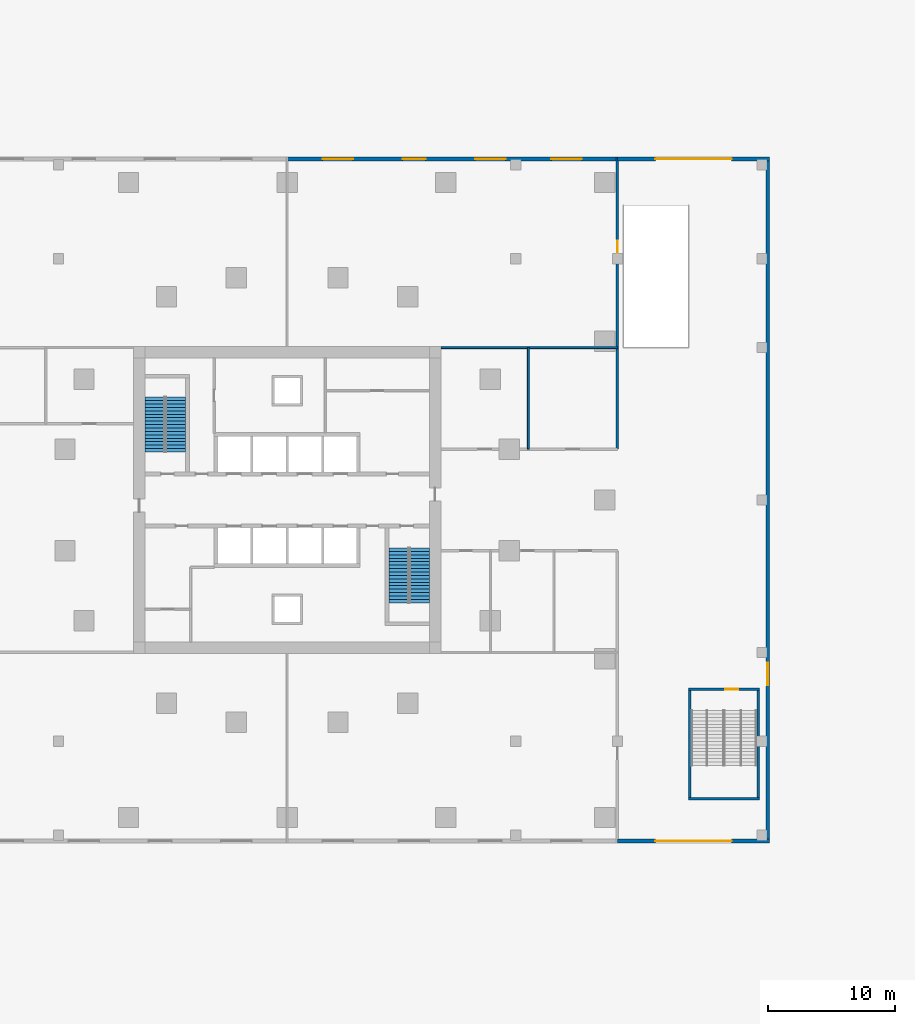
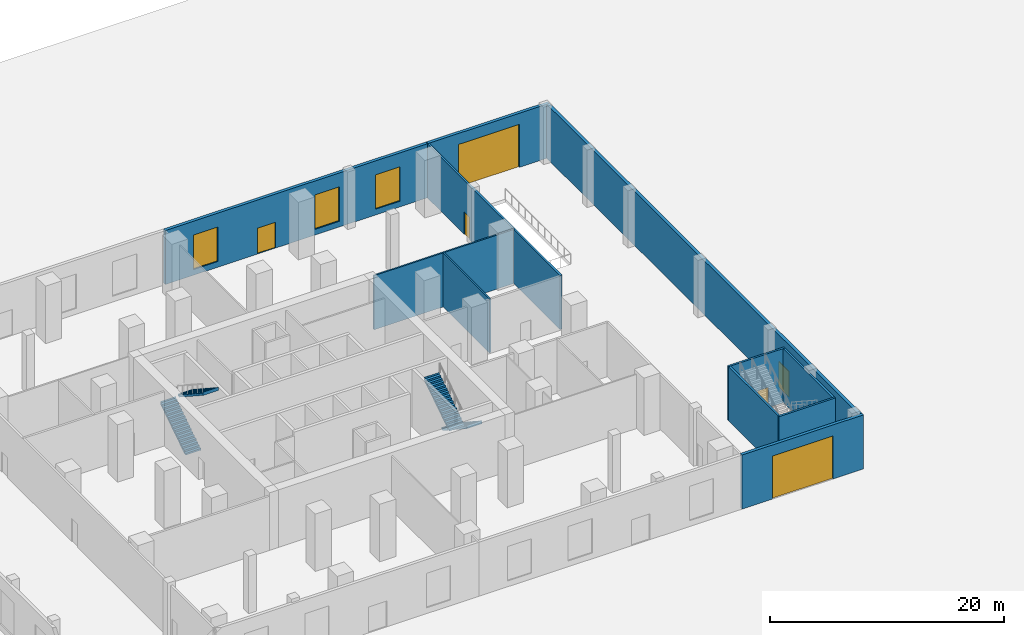
# One storey, part 5 of 8: 11 walls, 6 doors, 4 stair flights, 3 windows, 9 openings, 2 elements without a shape of their own.
"""IFC4 building model written with IfcOpenShell, lengths in metres."""

from ifc_helpers import new_model, si_unit, direction, frame, frame_2d, origin, place, context, subcontext, project, spatial, polyline, rectangle, outline, extrude, material, layer, layer_set, type_object, element, fill, aggregate, save


model = new_model("IFC4")

# Units and contexts
model_context = context("Model", 3, precision=1e-05, world=origin(), true_north=direction((0.0, 1.0)))
body_context = subcontext(model_context, "Body", "Model", "MODEL_VIEW")
ifc_project = project(units=[si_unit("LENGTHUNIT", "METRE"), si_unit("AREAUNIT", "SQUARE_METRE"), si_unit("VOLUMEUNIT", "CUBIC_METRE"), si_unit("PLANEANGLEUNIT", "RADIAN"), si_unit("MASSUNIT", "GRAM", prefix="KILO")], contexts=[model_context])

# Site, building, storey
site_placement = place(None, origin())
site = spatial("IfcSite", under=ifc_project, at=site_placement, CompositionType="ELEMENT")
building_placement = place(site_placement, origin())
building = spatial("IfcBuilding", under=site, at=building_placement, Name="Torsade Residences", CompositionType="ELEMENT")
storey_placement = place(building_placement, origin())
storey = spatial("IfcBuildingStorey", under=building, at=storey_placement, Name="L00", CompositionType="ELEMENT", Elevation=0.0)

# Wall, opening, door
ifc_material_1 = material(Name="Plasterboard on steel stud", Category="steel")
ifc_layer_1 = layer(ifc_material_1, 0.199951171875)
ifc_layer_set_1 = layer_set([ifc_layer_1], Name="Plasterboard on steel stud")
wall_type_1 = type_object("IfcWallType", Name="CORRIDOR WALL 200", PredefinedType="PARTITIONING", material=ifc_layer_set_1)
wall_1_placement = place(storey_placement, frame((66.0, 57.0, 0.0), z_axis=(0.0, 0.0, 1.0), x_axis=(0.0, -1.0, 0.0)))
wall_1 = element("IfcWall", 1, at=wall_1_placement, inside=storey, type_object=wall_type_1, Name="Corridor wall L00", PredefinedType="PARTITIONING", context=body_context, shape_type="SweptSolid", body=[
    extrude(rectangle(XDim=23.0, YDim=0.199951171875, at=frame_2d((11.5, 0.0))), origin(), (0.0, 0.0, 1.0), 5.64990234375),
])
opening_1_placement = place(wall_1_placement, frame((6.590087890625, 0.0, 0.0)))
opening_1 = element("IfcOpeningElement", 2, at=opening_1_placement, cuts=wall_1, Name="Opening D02", PredefinedType="OPENING", context=body_context, shape_type="SweptSolid", body=[
    extrude(rectangle(XDim=0.919921875, YDim=2.340087890625, at=frame_2d((0.4599609375, 1.169921875))), frame((0.0, 0.10986328125, 0.0), z_axis=(0.0, -1.0, 0.0), x_axis=(1.0, 0.0, 0.0)), (0.0, 0.0, 1.0), 0.219970703125),
])
ifc_material_2 = material(Name="Hollow-core timber door", Category="wood")
door_type_1 = type_object("IfcDoorType", Name="INTERNAL DOOR 920x2340", OperationType="NOTDEFINED", PredefinedType="DOOR", material=ifc_material_2)
door_1_placement = place(opening_1_placement, origin())
door_1 = element("IfcDoor", 3, at=door_1_placement, inside=storey, type_object=door_type_1, Name="Door Driveway and loading bay to Shop 3", OperationType="SINGLE_SWING_RIGHT", OverallHeight=2.340087890625, OverallWidth=0.919921875, PredefinedType="DOOR", context=body_context, shape_type="SweptSolid", body=[
    extrude(rectangle(XDim=0.919921875, YDim=2.340087890625, at=frame_2d((0.4599609375, 1.169921875))), frame((0.0, 0.02490234375, 0.0), z_axis=(0.0, -1.0, 0.0), x_axis=(1.0, 0.0, 0.0)), (0.0, 0.0, 1.0), 0.050048828125),
])
fill(opening_1, door_1)

# Walls
ifc_material_3 = material(Name="Reinforced blockwork", Category="masonry")
ifc_layer_2 = layer(ifc_material_3, 0.199951171875)
ifc_layer_set_2 = layer_set([ifc_layer_2], Name="Reinforced blockwork")
wall_type_2 = type_object("IfcWallType", Name="PODIUM STAIR ENCLOSURE WALL 200", PredefinedType="SOLIDWALL", material=ifc_layer_set_2)
wall_2_placement = place(storey_placement, frame((71.60009765625, 6.47998046875, 0.0), z_axis=(0.0, 0.0, 1.0), x_axis=(1.0, 0.0, 0.0)))
element("IfcWall", 4, at=wall_2_placement, inside=storey, type_object=wall_type_2, Name="Stair enclosure wall L00", PredefinedType="SOLIDWALL", context=body_context, shape_type="SweptSolid", body=[
    extrude(rectangle(XDim=5.599853515625, YDim=0.199951171875, at=frame_2d((2.7998046875, 0.0))), origin(), (0.0, 0.0, 1.0), 5.64990234375),
])
wall_3_placement = place(storey_placement, frame((77.10009765625, 6.580078125, 0.0), z_axis=(0.0, 0.0, 1.0), x_axis=(0.0, 1.0, 0.0)))
element("IfcWall", 5, at=wall_3_placement, inside=storey, type_object=wall_type_2, Name="Stair enclosure wall L00", PredefinedType="SOLIDWALL", context=body_context, shape_type="SweptSolid", body=[
    extrude(rectangle(XDim=8.419921875, YDim=0.199951171875, at=frame_2d((4.2099609375, 0.0))), origin(), (0.0, 0.0, 1.0), 5.64990234375),
])

# Wall, opening, door
wall_4_placement = place(storey_placement, frame((77.199951171875, 15.10009765625, 0.0), z_axis=(0.0, 0.0, 1.0), x_axis=(-1.0, 0.0, 0.0)))
wall_4 = element("IfcWall", 6, at=wall_4_placement, inside=storey, type_object=wall_type_2, Name="Stair enclosure wall L00", PredefinedType="SOLIDWALL", context=body_context, shape_type="SweptSolid", body=[
    extrude(rectangle(XDim=5.599853515625, YDim=0.199951171875, at=frame_2d((2.7998046875, 0.0))), origin(), (0.0, 0.0, 1.0), 5.64990234375),
])
opening_2_placement = place(wall_4_placement, frame((1.6650390625, 0.0, 0.0)))
opening_2 = element("IfcOpeningElement", 7, at=opening_2_placement, cuts=wall_4, Name="Opening D03", PredefinedType="OPENING", context=body_context, shape_type="SweptSolid", body=[
    extrude(rectangle(XDim=1.02001953125, YDim=2.10009765625, at=frame_2d((0.510009765625, 1.050048828125))), frame((0.0, 0.10986328125, 0.0), z_axis=(0.0, -1.0, 0.0), x_axis=(1.0, 0.0, 0.0)), (0.0, 0.0, 1.0), 0.219970703125),
])
ifc_material_4 = material(Name="Steel-framed fire door", Category="steel")
door_type_2 = type_object("IfcDoorType", Name="FIRE DOOR 1020", OperationType="NOTDEFINED", PredefinedType="DOOR", material=ifc_material_4)
door_2_placement = place(opening_2_placement, origin())
door_2 = element("IfcDoor", 8, at=door_2_placement, inside=storey, type_object=door_type_2, Name="Exit door to fire-isolated stair ST4 L00", OperationType="SINGLE_SWING_LEFT", OverallHeight=2.10009765625, OverallWidth=1.02001953125, PredefinedType="DOOR", context=body_context, shape_type="SweptSolid", body=[
    extrude(rectangle(XDim=1.02001953125, YDim=2.10009765625, at=frame_2d((0.510009765625, 1.050048828125))), frame((0.0, 0.02490234375, 0.0), z_axis=(0.0, -1.0, 0.0), x_axis=(1.0, 0.0, 0.0)), (0.0, 0.0, 1.0), 0.050048828125),
])
fill(opening_2, door_2)

# Walls
wall_5_placement = place(storey_placement, frame((71.699951171875, 15.0, 0.0), z_axis=(0.0, 0.0, 1.0), x_axis=(0.0, -1.0, 0.0)))
element("IfcWall", 9, at=wall_5_placement, inside=storey, type_object=wall_type_2, Name="Stair enclosure wall L00", PredefinedType="SOLIDWALL", context=body_context, shape_type="SweptSolid", body=[
    extrude(rectangle(XDim=8.419921875, YDim=0.199951171875, at=frame_2d((4.2099609375, 0.0))), origin(), (0.0, 0.0, 1.0), 5.64990234375),
])
ifc_material_5 = material(Name="Reinforced blockwork", Category="masonry")
ifc_layer_3 = layer(ifc_material_5, 0.14990234375)
ifc_layer_set_3 = layer_set([ifc_layer_3], Name="Reinforced blockwork")
wall_type_3 = type_object("IfcWallType", Name="SERVICE ROOM WALL 150", PredefinedType="SOLIDWALL", material=ifc_layer_set_3)
wall_6_placement = place(storey_placement, frame((66.0, 42.0, 0.0), z_axis=(0.0, 0.0, 1.0), x_axis=(-1.0, 0.0, 0.0)))
element("IfcWall", 10, at=wall_6_placement, inside=storey, type_object=wall_type_3, Name="Service room wall L00", PredefinedType="SOLIDWALL", context=body_context, shape_type="SweptSolid", body=[
    extrude(rectangle(XDim=13.89990234375, YDim=0.14990234375, at=frame_2d((6.949951171875, 0.0))), origin(), (0.0, 0.0, 1.0), 5.64990234375),
])
wall_7_placement = place(storey_placement, frame((59.0, 42.0, 0.0), z_axis=(0.0, 0.0, 1.0), x_axis=(0.0, -1.0, 0.0)))
element("IfcWall", 11, at=wall_7_placement, inside=storey, type_object=wall_type_3, Name="Service room wall L00", PredefinedType="SOLIDWALL", context=body_context, shape_type="SweptSolid", body=[
    extrude(rectangle(XDim=8.0, YDim=0.14990234375, at=frame_2d((4.0, 0.0))), origin(), (0.0, 0.0, 1.0), 5.64990234375),
])

# Wall, opening, door
ifc_material_6 = material(Name="Sandstone on concrete 40 MPa", Category="masonry")
ifc_layer_4 = layer(ifc_material_6, 0.300048828125)
ifc_layer_set_4 = layer_set([ifc_layer_4], Name="Sandstone on concrete 40 MPa")
wall_type_4 = type_object("IfcWallType", Name="STONE-FACED SHOPFRONT WALL 300", PredefinedType="SOLIDWALL", material=ifc_layer_set_4)
wall_8_placement = place(storey_placement, frame((66.0, 3.14990234375, 0.0), z_axis=(0.0, 0.0, 1.0), x_axis=(1.0, 0.0, 0.0)))
wall_8 = element("IfcWall", 12, at=wall_8_placement, inside=storey, type_object=wall_type_4, Name="Shopfront wall S4", PredefinedType="SOLIDWALL", context=body_context, shape_type="SweptSolid", body=[
    extrude(rectangle(XDim=12.0, YDim=0.300048828125, at=frame_2d((6.0, 0.0))), origin(), (0.0, 0.0, 1.0), 5.64990234375),
])
opening_3_placement = place(wall_8_placement, frame((3.0, 0.0, 0.0)))
opening_3 = element("IfcOpeningElement", 13, at=opening_3_placement, cuts=wall_8, Name="Opening D30", PredefinedType="OPENING", context=body_context, shape_type="SweptSolid", body=[
    extrude(rectangle(XDim=6.0, YDim=4.5, at=frame_2d((3.0, 2.25))), frame((0.0, 0.159912109375, 0.0), z_axis=(0.0, -1.0, 0.0), x_axis=(1.0, 0.0, 0.0)), (0.0, 0.0, 1.0), 0.320068359375),
])
ifc_material_7 = material(Name="Steel roller shutter", Category="steel")
door_type_3 = type_object("IfcDoorType", Name="VEHICLE ROLLER SHUTTER 6000", OperationType="ROLLINGUP", PredefinedType="DOOR", material=ifc_material_7)
door_3_placement = place(opening_3_placement, origin())
door_3 = element("IfcDoor", 14, at=door_3_placement, inside=storey, type_object=door_type_3, Name="Driveway roller shutter S", OperationType="ROLLINGUP", OverallHeight=4.5, OverallWidth=6.0, PredefinedType="DOOR", context=body_context, shape_type="SweptSolid", body=[
    extrude(rectangle(XDim=6.0, YDim=4.5, at=frame_2d((3.0, 2.25))), frame((0.0, 0.02490234375, 0.0), z_axis=(0.0, -1.0, 0.0), x_axis=(1.0, 0.0, 0.0)), (0.0, 0.0, 1.0), 0.050048828125),
])
fill(opening_3, door_3)

wall_9_placement = place(storey_placement, frame((78.0, 56.85009765625, 0.0), z_axis=(0.0, 0.0, 1.0), x_axis=(-1.0, 0.0, 0.0)))
wall_9 = element("IfcWall", 15, at=wall_9_placement, inside=storey, type_object=wall_type_4, Name="Shopfront wall N1", PredefinedType="SOLIDWALL", context=body_context, shape_type="SweptSolid", body=[
    extrude(rectangle(XDim=12.0, YDim=0.300048828125, at=frame_2d((6.0, 0.0))), origin(), (0.0, 0.0, 1.0), 5.64990234375),
])
opening_4_placement = place(wall_9_placement, frame((3.0, 0.0, 0.0)))
opening_4 = element("IfcOpeningElement", 16, at=opening_4_placement, cuts=wall_9, Name="Opening D30", PredefinedType="OPENING", context=body_context, shape_type="SweptSolid", body=[
    extrude(rectangle(XDim=6.0, YDim=4.5, at=frame_2d((3.0, 2.25))), frame((0.0, 0.159912109375, 0.0), z_axis=(0.0, -1.0, 0.0), x_axis=(1.0, 0.0, 0.0)), (0.0, 0.0, 1.0), 0.320068359375),
])
door_4_placement = place(opening_4_placement, origin())
door_4 = element("IfcDoor", 17, at=door_4_placement, inside=storey, type_object=door_type_3, Name="Driveway roller shutter N", OperationType="ROLLINGUP", OverallHeight=4.5, OverallWidth=6.0, PredefinedType="DOOR", context=body_context, shape_type="SweptSolid", body=[
    extrude(rectangle(XDim=6.0, YDim=4.5, at=frame_2d((3.0, 2.25))), frame((0.0, 0.02490234375, 0.0), z_axis=(0.0, -1.0, 0.0), x_axis=(1.0, 0.0, 0.0)), (0.0, 0.0, 1.0), 0.050048828125),
])
fill(opening_4, door_4)

# Wall, openings, door, windows
wall_10_placement = place(storey_placement, frame((66.0, 56.85009765625, 0.0), z_axis=(0.0, 0.0, 1.0), x_axis=(-1.0, 0.0, 0.0)))
wall_10 = element("IfcWall", 18, at=wall_10_placement, inside=storey, type_object=wall_type_4, Name="Shopfront wall N2", PredefinedType="SOLIDWALL", context=body_context, shape_type="SweptSolid", body=[
    extrude(rectangle(XDim=26.0, YDim=0.300048828125, at=frame_2d((13.0, 0.0))), origin(), (0.0, 0.0, 1.0), 5.64990234375),
])
opening_5_placement = place(wall_10_placement, frame((2.800048828125, 0.0, 0.60009765625)))
opening_5 = element("IfcOpeningElement", 19, at=opening_5_placement, cuts=wall_10, Name="Opening W2", PredefinedType="OPENING", context=body_context, shape_type="SweptSolid", body=[
    extrude(rectangle(XDim=2.39990234375, YDim=3.60009765625, at=frame_2d((1.199951171875, 1.800048828125))), frame((0.0, 0.159912109375, 0.0), z_axis=(0.0, -1.0, 0.0), x_axis=(1.0, 0.0, 0.0)), (0.0, 0.0, 1.0), 0.320068359375),
])
opening_6_placement = place(wall_10_placement, frame((8.800048828125, 0.0, 0.60009765625)))
opening_6 = element("IfcOpeningElement", 20, at=opening_6_placement, cuts=wall_10, Name="Opening W2", PredefinedType="OPENING", context=body_context, shape_type="SweptSolid", body=[
    extrude(rectangle(XDim=2.39990234375, YDim=3.60009765625, at=frame_2d((1.199951171875, 1.800048828125))), frame((0.0, 0.159912109375, 0.0), z_axis=(0.0, -1.0, 0.0), x_axis=(1.0, 0.0, 0.0)), (0.0, 0.0, 1.0), 0.320068359375),
])
opening_7_placement = place(wall_10_placement, frame((15.10009765625, 0.0, 0.0)))
opening_7 = element("IfcOpeningElement", 21, at=opening_7_placement, cuts=wall_10, Name="Opening D20", PredefinedType="OPENING", context=body_context, shape_type="SweptSolid", body=[
    extrude(rectangle(XDim=1.800048828125, YDim=2.699951171875, at=frame_2d((0.89990234375, 1.35009765625))), frame((0.0, 0.159912109375, 0.0), z_axis=(0.0, -1.0, 0.0), x_axis=(1.0, 0.0, 0.0)), (0.0, 0.0, 1.0), 0.320068359375),
])
opening_8_placement = place(wall_10_placement, frame((20.800048828125, 0.0, 0.60009765625)))
opening_8 = element("IfcOpeningElement", 22, at=opening_8_placement, cuts=wall_10, Name="Opening W2", PredefinedType="OPENING", context=body_context, shape_type="SweptSolid", body=[
    extrude(rectangle(XDim=2.39990234375, YDim=3.60009765625, at=frame_2d((1.199951171875, 1.800048828125))), frame((0.0, 0.159912109375, 0.0), z_axis=(0.0, -1.0, 0.0), x_axis=(1.0, 0.0, 0.0)), (0.0, 0.0, 1.0), 0.320068359375),
])
ifc_material_8 = material(Name="Aluminium-framed glass door", Category="aluminium")
door_type_4 = type_object("IfcDoorType", Name="ENTRANCE DOOR PAIR 1800", OperationType="DOUBLE_DOOR_DOUBLE_SWING", PredefinedType="DOOR", material=ifc_material_8)
door_5_placement = place(opening_7_placement, origin())
door_5 = element("IfcDoor", 23, at=door_5_placement, inside=storey, type_object=door_type_4, Name="Shop entrance N2", OperationType="DOUBLE_DOOR_DOUBLE_SWING", OverallHeight=2.699951171875, OverallWidth=1.800048828125, PredefinedType="DOOR", context=body_context, shape_type="SweptSolid", body=[
    extrude(rectangle(XDim=1.800048828125, YDim=2.699951171875, at=frame_2d((0.89990234375, 1.35009765625))), frame((0.0, 0.02490234375, 0.0), z_axis=(0.0, -1.0, 0.0), x_axis=(1.0, 0.0, 0.0)), (0.0, 0.0, 1.0), 0.050048828125),
])
fill(opening_7, door_5)
ifc_material_9 = material(Name="Aluminium-framed glass window", Category="aluminium")
window_type = type_object("IfcWindowType", Name="SHOPFRONT WINDOW 2400", PartitioningType="SINGLE_PANEL", PredefinedType="WINDOW", material=ifc_material_9)
window_1_placement = place(opening_5_placement, origin())
window_1 = element("IfcWindow", 24, at=window_1_placement, inside=storey, type_object=window_type, Name="Shopfront window N2.1", OverallHeight=3.60009765625, OverallWidth=2.39990234375, PartitioningType="SINGLE_PANEL", PredefinedType="WINDOW", context=body_context, shape_type="SweptSolid", body=[
    extrude(rectangle(XDim=2.39990234375, YDim=3.60009765625, at=frame_2d((1.199951171875, 1.800048828125))), frame((0.0, 0.030029296875, 0.0), z_axis=(0.0, -1.0, 0.0), x_axis=(1.0, 0.0, 0.0)), (0.0, 0.0, 1.0), 0.06005859375),
])
fill(opening_5, window_1)
window_2_placement = place(opening_6_placement, origin())
window_2 = element("IfcWindow", 25, at=window_2_placement, inside=storey, type_object=window_type, Name="Shopfront window N2.2", OverallHeight=3.60009765625, OverallWidth=2.39990234375, PartitioningType="SINGLE_PANEL", PredefinedType="WINDOW", context=body_context, shape_type="SweptSolid", body=[
    extrude(rectangle(XDim=2.39990234375, YDim=3.60009765625, at=frame_2d((1.199951171875, 1.800048828125))), frame((0.0, 0.030029296875, 0.0), z_axis=(0.0, -1.0, 0.0), x_axis=(1.0, 0.0, 0.0)), (0.0, 0.0, 1.0), 0.06005859375),
])
fill(opening_6, window_2)
window_3_placement = place(opening_8_placement, origin())
window_3 = element("IfcWindow", 26, at=window_3_placement, inside=storey, type_object=window_type, Name="Shopfront window N2.4", OverallHeight=3.60009765625, OverallWidth=2.39990234375, PartitioningType="SINGLE_PANEL", PredefinedType="WINDOW", context=body_context, shape_type="SweptSolid", body=[
    extrude(rectangle(XDim=2.39990234375, YDim=3.60009765625, at=frame_2d((1.199951171875, 1.800048828125))), frame((0.0, 0.030029296875, 0.0), z_axis=(0.0, -1.0, 0.0), x_axis=(1.0, 0.0, 0.0)), (0.0, 0.0, 1.0), 0.06005859375),
])
fill(opening_8, window_3)

# Wall, opening, door
wall_11_placement = place(storey_placement, frame((77.85009765625, 3.0, 0.0), z_axis=(0.0, 0.0, 1.0), x_axis=(0.0, 1.0, 0.0)))
wall_11 = element("IfcWall", 27, at=wall_11_placement, inside=storey, type_object=wall_type_4, Name="Shopfront wall E1", PredefinedType="SOLIDWALL", context=body_context, shape_type="SweptSolid", body=[
    extrude(rectangle(XDim=54.0, YDim=0.300048828125, at=frame_2d((27.0, 0.0))), origin(), (0.0, 0.0, 1.0), 5.64990234375),
])
opening_9_placement = place(wall_11_placement, frame((12.39990234375, 0.0, 0.0)))
opening_9 = element("IfcOpeningElement", 28, at=opening_9_placement, cuts=wall_11, Name="Opening D20", PredefinedType="OPENING", context=body_context, shape_type="SweptSolid", body=[
    extrude(rectangle(XDim=1.800048828125, YDim=2.699951171875, at=frame_2d((0.89990234375, 1.35009765625))), frame((0.0, 0.159912109375, 0.0), z_axis=(0.0, -1.0, 0.0), x_axis=(1.0, 0.0, 0.0)), (0.0, 0.0, 1.0), 0.320068359375),
])
door_6_placement = place(opening_9_placement, frame((1.800048828125, 0.0, 0.0), z_axis=(0.0, 0.0, 1.0), x_axis=(-1.0, 0.0, 0.0)))
door_6 = element("IfcDoor", 29, at=door_6_placement, inside=storey, type_object=door_type_4, Name="Final exit door ST4 to the east plaza", OperationType="DOUBLE_DOOR_DOUBLE_SWING", OverallHeight=2.699951171875, OverallWidth=1.800048828125, PredefinedType="DOOR", context=body_context, shape_type="SweptSolid", body=[
    extrude(rectangle(XDim=1.800048828125, YDim=2.699951171875, at=frame_2d((0.89990234375, 1.35009765625))), frame((0.0, 0.02490234375, 0.0), z_axis=(0.0, -1.0, 0.0), x_axis=(1.0, 0.0, 0.0)), (0.0, 0.0, 1.0), 0.050048828125),
])
fill(opening_9, door_6)

# Stair, stair flights
ifc_material_10 = material(Name="Precast concrete 40 MPa", Category="concrete")
stair_type = type_object("IfcStairType", Name="HALF-TURN FIRE STAIR 1500x6000", PredefinedType="HALF_TURN_STAIR", material=ifc_material_10)
stair_1_placement = place(storey_placement, origin())
stair_1 = element("IfcStair", 30, at=stair_1_placement, inside=storey, type_object=stair_type, Name="Stair ST1 L00", PredefinedType="HALF_TURN_STAIR")
ifc_material_11 = material(Name="Precast concrete 40 MPa", Category="concrete")
stair_flight_type = type_object("IfcStairFlightType", Name="PRECAST STAIR FLIGHT 1500x3000", PredefinedType="STRAIGHT", material=ifc_material_11)
stair_flight_1_placement = place(storey_placement, frame((29.550048828125, 33.780029296875, 0.0), z_axis=(0.0, 0.0, 1.0), x_axis=(0.0, 1.0, 0.0)))
stair_flight_1 = element("IfcStairFlight", 31, at=stair_flight_1_placement, type_object=stair_flight_type, Name="ST1 flight 1", NumberOfRisers=17, NumberOfTreads=16, PredefinedType="STRAIGHT", RiserHeight=0.176470588, TreadLength=0.27, context=body_context, shape_type="SweptSolid", body=[
    extrude(outline(polyline([(0.0, 0.0), (0.0, 0.176513671875), (0.27001953125, 0.176513671875), (0.27001953125, 0.35302734375), (0.5400390625, 0.35302734375), (0.5400390625, 0.529296875), (0.81005859375, 0.529296875), (0.81005859375, 0.705810546875), (1.080078125, 0.705810546875), (1.080078125, 0.88232421875), (1.35009765625, 0.88232421875), (1.35009765625, 1.058837890625), (1.6201171875, 1.058837890625), (1.6201171875, 1.2353515625), (1.889892578125, 1.2353515625), (1.889892578125, 1.411865234375), (2.159912109375, 1.411865234375), (2.159912109375, 1.588134765625), (2.429931640625, 1.588134765625), (2.429931640625, 1.7646484375), (2.699951171875, 1.7646484375), (2.699951171875, 1.941162109375), (2.969970703125, 1.941162109375), (2.969970703125, 2.11767578125), (3.239990234375, 2.11767578125), (3.239990234375, 2.294189453125), (3.510009765625, 2.294189453125), (3.510009765625, 2.470703125), (3.780029296875, 2.470703125), (3.780029296875, 2.64697265625), (4.050048828125, 2.64697265625), (4.050048828125, 2.823486328125), (4.320068359375, 2.823486328125), (4.320068359375, 3.0), (4.330078125, 3.0), (4.330078125, 2.64453125), (4.320068359375, 2.64453125), (0.27392578125, 0.0), (0.0, 0.0)])), frame((0.0, 0.75, 0.0), z_axis=(0.0, -1.0, 0.0), x_axis=(1.0, 0.0, 0.0)), (0.0, 0.0, 1.0), 1.5),
])
stair_flight_2_placement = place(storey_placement, frame((31.25, 38.10009765625, 3.0), z_axis=(0.0, 0.0, 1.0), x_axis=(0.0, -1.0, 0.0)))
stair_flight_2 = element("IfcStairFlight", 32, at=stair_flight_2_placement, type_object=stair_flight_type, Name="ST1 flight 2", NumberOfRisers=17, NumberOfTreads=16, PredefinedType="STRAIGHT", RiserHeight=0.176470588, TreadLength=0.27, context=body_context, shape_type="SweptSolid", body=[
    extrude(outline(polyline([(0.0, 0.0), (0.0, 0.176513671875), (0.27001953125, 0.176513671875), (0.27001953125, 0.35302734375), (0.5400390625, 0.35302734375), (0.5400390625, 0.529296875), (0.81005859375, 0.529296875), (0.81005859375, 0.705810546875), (1.080078125, 0.705810546875), (1.080078125, 0.88232421875), (1.35009765625, 0.88232421875), (1.35009765625, 1.058837890625), (1.6201171875, 1.058837890625), (1.6201171875, 1.2353515625), (1.889892578125, 1.2353515625), (1.889892578125, 1.411865234375), (2.159912109375, 1.411865234375), (2.159912109375, 1.588134765625), (2.429931640625, 1.588134765625), (2.429931640625, 1.7646484375), (2.699951171875, 1.7646484375), (2.699951171875, 1.941162109375), (2.969970703125, 1.941162109375), (2.969970703125, 2.11767578125), (3.239990234375, 2.11767578125), (3.239990234375, 2.294189453125), (3.510009765625, 2.294189453125), (3.510009765625, 2.470703125), (3.780029296875, 2.470703125), (3.780029296875, 2.64697265625), (4.050048828125, 2.64697265625), (4.050048828125, 2.823486328125), (4.320068359375, 2.823486328125), (4.320068359375, 3.0), (4.330078125, 3.0), (4.330078125, 2.64453125), (4.320068359375, 2.64453125), (0.27392578125, 0.0), (0.0, 0.0)])), frame((0.0, 0.75, 0.0), z_axis=(0.0, -1.0, 0.0), x_axis=(1.0, 0.0, 0.0)), (0.0, 0.0, 1.0), 1.5),
])
aggregate(stair_1, [stair_flight_1, stair_flight_2])

stair_2_placement = place(storey_placement, origin())
stair_2 = element("IfcStair", 33, at=stair_2_placement, inside=storey, type_object=stair_type, Name="Stair ST2 L00", PredefinedType="HALF_TURN_STAIR")
stair_flight_3_placement = place(storey_placement, frame((50.449951171875, 26.219970703125, 0.0), z_axis=(0.0, 0.0, 1.0), x_axis=(0.0, -1.0, 0.0)))
stair_flight_3 = element("IfcStairFlight", 34, at=stair_flight_3_placement, type_object=stair_flight_type, Name="ST2 flight 1", NumberOfRisers=17, NumberOfTreads=16, PredefinedType="STRAIGHT", RiserHeight=0.176470588, TreadLength=0.27, context=body_context, shape_type="SweptSolid", body=[
    extrude(outline(polyline([(0.0, 0.0), (0.0, 0.176513671875), (0.27001953125, 0.176513671875), (0.27001953125, 0.35302734375), (0.5400390625, 0.35302734375), (0.5400390625, 0.529296875), (0.81005859375, 0.529296875), (0.81005859375, 0.705810546875), (1.080078125, 0.705810546875), (1.080078125, 0.88232421875), (1.35009765625, 0.88232421875), (1.35009765625, 1.058837890625), (1.6201171875, 1.058837890625), (1.6201171875, 1.2353515625), (1.889892578125, 1.2353515625), (1.889892578125, 1.411865234375), (2.159912109375, 1.411865234375), (2.159912109375, 1.588134765625), (2.429931640625, 1.588134765625), (2.429931640625, 1.7646484375), (2.699951171875, 1.7646484375), (2.699951171875, 1.941162109375), (2.969970703125, 1.941162109375), (2.969970703125, 2.11767578125), (3.239990234375, 2.11767578125), (3.239990234375, 2.294189453125), (3.510009765625, 2.294189453125), (3.510009765625, 2.470703125), (3.780029296875, 2.470703125), (3.780029296875, 2.64697265625), (4.050048828125, 2.64697265625), (4.050048828125, 2.823486328125), (4.320068359375, 2.823486328125), (4.320068359375, 3.0), (4.330078125, 3.0), (4.330078125, 2.64453125), (4.320068359375, 2.64453125), (0.27392578125, 0.0), (0.0, 0.0)])), frame((0.0, 0.75, 0.0), z_axis=(0.0, -1.0, 0.0), x_axis=(1.0, 0.0, 0.0)), (0.0, 0.0, 1.0), 1.5),
])
stair_flight_4_placement = place(storey_placement, frame((48.75, 21.89990234375, 3.0), z_axis=(0.0, 0.0, 1.0), x_axis=(0.0, 1.0, 0.0)))
stair_flight_4 = element("IfcStairFlight", 35, at=stair_flight_4_placement, type_object=stair_flight_type, Name="ST2 flight 2", NumberOfRisers=17, NumberOfTreads=16, PredefinedType="STRAIGHT", RiserHeight=0.176470588, TreadLength=0.27, context=body_context, shape_type="SweptSolid", body=[
    extrude(outline(polyline([(0.0, 0.0), (0.0, 0.176513671875), (0.27001953125, 0.176513671875), (0.27001953125, 0.35302734375), (0.5400390625, 0.35302734375), (0.5400390625, 0.529296875), (0.81005859375, 0.529296875), (0.81005859375, 0.705810546875), (1.080078125, 0.705810546875), (1.080078125, 0.88232421875), (1.35009765625, 0.88232421875), (1.35009765625, 1.058837890625), (1.6201171875, 1.058837890625), (1.6201171875, 1.2353515625), (1.889892578125, 1.2353515625), (1.889892578125, 1.411865234375), (2.159912109375, 1.411865234375), (2.159912109375, 1.588134765625), (2.429931640625, 1.588134765625), (2.429931640625, 1.7646484375), (2.699951171875, 1.7646484375), (2.699951171875, 1.941162109375), (2.969970703125, 1.941162109375), (2.969970703125, 2.11767578125), (3.239990234375, 2.11767578125), (3.239990234375, 2.294189453125), (3.510009765625, 2.294189453125), (3.510009765625, 2.470703125), (3.780029296875, 2.470703125), (3.780029296875, 2.64697265625), (4.050048828125, 2.64697265625), (4.050048828125, 2.823486328125), (4.320068359375, 2.823486328125), (4.320068359375, 3.0), (4.330078125, 3.0), (4.330078125, 2.64453125), (4.320068359375, 2.64453125), (0.27392578125, 0.0), (0.0, 0.0)])), frame((0.0, 0.75, 0.0), z_axis=(0.0, -1.0, 0.0), x_axis=(1.0, 0.0, 0.0)), (0.0, 0.0, 1.0), 1.5),
])
aggregate(stair_2, [stair_flight_3, stair_flight_4])

save(model, "model.ifc")
